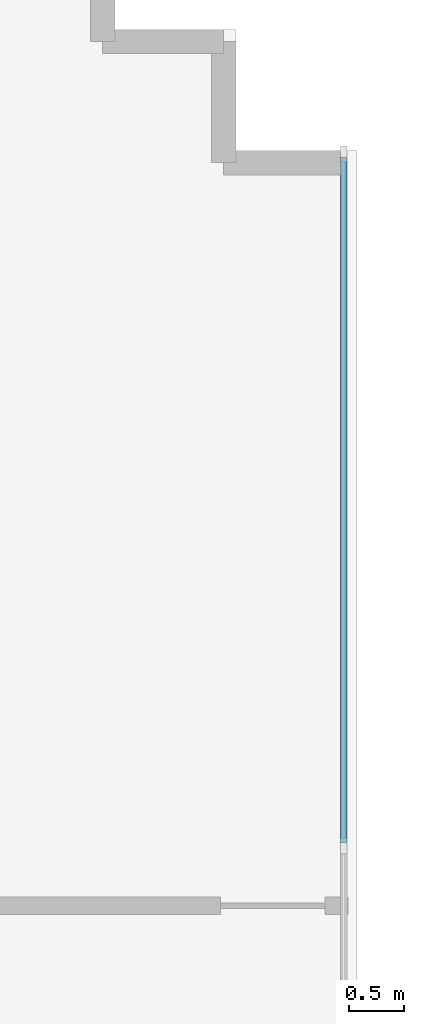
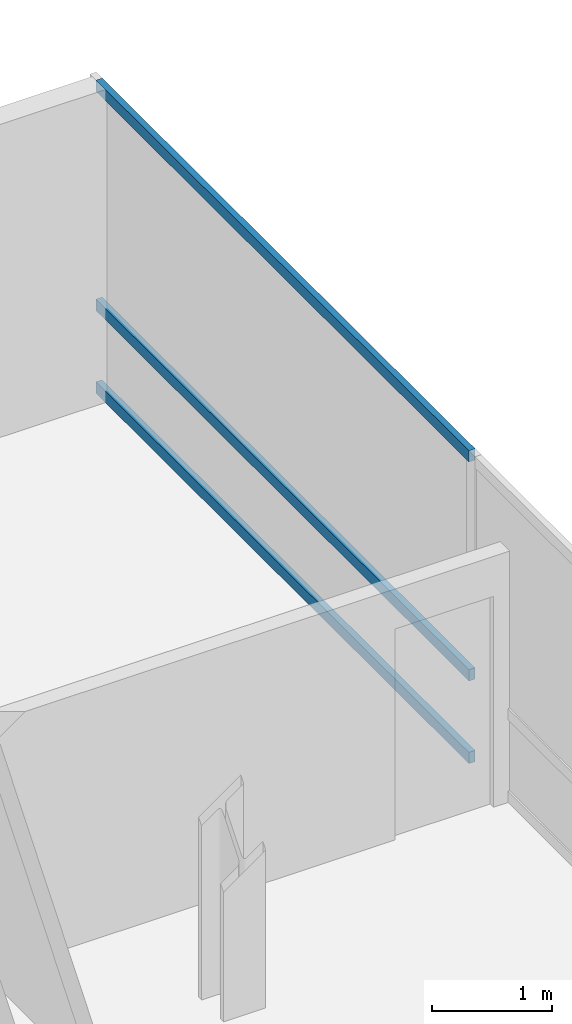
# One storey, part 7 of 17: 3 members, 1 element without a shape of its own.
"""IFC4 building model written with IfcOpenShell, lengths in metres."""

from ifc_helpers import new_model, si_unit, direction, frame, origin, origin_2d, place, context, subcontext, project, spatial, rectangle, extrude, material, material_profile, profile_set, type_object, element, aggregate, save


model = new_model("IFC4")

# Units and contexts
model_context = context("Model", 3, precision=1e-05, world=origin(), true_north=direction((0.0, 1.0)))
body_context = subcontext(model_context, "Body", "Model", "MODEL_VIEW")
ifc_project = project(units=[si_unit("LENGTHUNIT", "METRE"), si_unit("AREAUNIT", "SQUARE_METRE"), si_unit("VOLUMEUNIT", "CUBIC_METRE"), si_unit("PLANEANGLEUNIT", "RADIAN"), si_unit("MASSUNIT", "GRAM", prefix="KILO")], contexts=[model_context])

# Site, building, storey
site_placement = place(None, origin())
site = spatial("IfcSite", under=ifc_project, at=site_placement, CompositionType="ELEMENT")
building_placement = place(site_placement, origin())
building = spatial("IfcBuilding", under=site, at=building_placement, Name="Solmavex Isthmus Hotel", CompositionType="ELEMENT")
storey_placement = place(building_placement, frame((0.0, 0.0, 266.10009765625)))
storey = spatial("IfcBuildingStorey", under=building, at=storey_placement, Name="L72", CompositionType="ELEMENT", Elevation=266.10009765625)

# Curtain wall, members
ifc_material = material(Name="Aluminium alloy 6063-T6", Category="aluminium")
curtain_wall_type = type_object("IfcCurtainWallType", Name="CW-SYS-06", PredefinedType="NOTDEFINED", material=ifc_material)
curtain_wall_placement = place(storey_placement, origin())
curtain_wall = element("IfcCurtainWall", 1, at=curtain_wall_placement, inside=storey, type_object=curtain_wall_type, Name="Stick Curtain Wall CWL-L72-E1", PredefinedType="NOTDEFINED")
ifc_material_profile = material_profile(ifc_material, rectangle(XDim=0.06005859375, YDim=0.114990234375, at=origin_2d()), Name="CWT-60X115")
ifc_profile_set = profile_set([ifc_material_profile], Name="Aluminium alloy 6063-T6")
member_type = type_object("IfcMemberType", Name="CW-SYS-06-TRN", PredefinedType="USERDEFINED", material=ifc_profile_set)
member_1_placement = place(storey_placement, frame((23.8798828125, 12.81005859375, 0.057373046875), z_axis=(0.0, 1.0, 0.0), x_axis=(-1.0, 0.0, 0.0)))
member_1 = element("IfcMember", 2, at=member_1_placement, type_object=member_type, Name="CW-06 transom 5.1", ObjectType="TRANSOM", PredefinedType="USERDEFINED", context=body_context, shape_type="SweptSolid", body=[
    extrude(rectangle(XDim=0.06005859375, YDim=0.114990234375, at=origin_2d()), origin(), (0.0, 0.0, 1.0), 6.22998046875),
])
member_2_placement = place(storey_placement, frame((23.8798828125, 12.81005859375, 0.89990234375), z_axis=(0.0, 1.0, 0.0), x_axis=(-1.0, 0.0, 0.0)))
member_2 = element("IfcMember", 3, at=member_2_placement, type_object=member_type, Name="CW-06 transom 5.2", ObjectType="TRANSOM", PredefinedType="USERDEFINED", context=body_context, shape_type="SweptSolid", body=[
    extrude(rectangle(XDim=0.06005859375, YDim=0.114990234375, at=origin_2d()), origin(), (0.0, 0.0, 1.0), 6.22998046875),
])
member_3_placement = place(storey_placement, frame((23.8798828125, 12.81005859375, 3.13232421875), z_axis=(0.0, 1.0, 0.0), x_axis=(-1.0, 0.0, 0.0)))
member_3 = element("IfcMember", 4, at=member_3_placement, type_object=member_type, Name="CW-06 transom 5.3", ObjectType="TRANSOM", PredefinedType="USERDEFINED", context=body_context, shape_type="SweptSolid", body=[
    extrude(rectangle(XDim=0.06005859375, YDim=0.114990234375, at=origin_2d()), origin(), (0.0, 0.0, 1.0), 6.22998046875),
])
aggregate(curtain_wall, [member_1, member_2, member_3])

save(model, "model.ifc")
